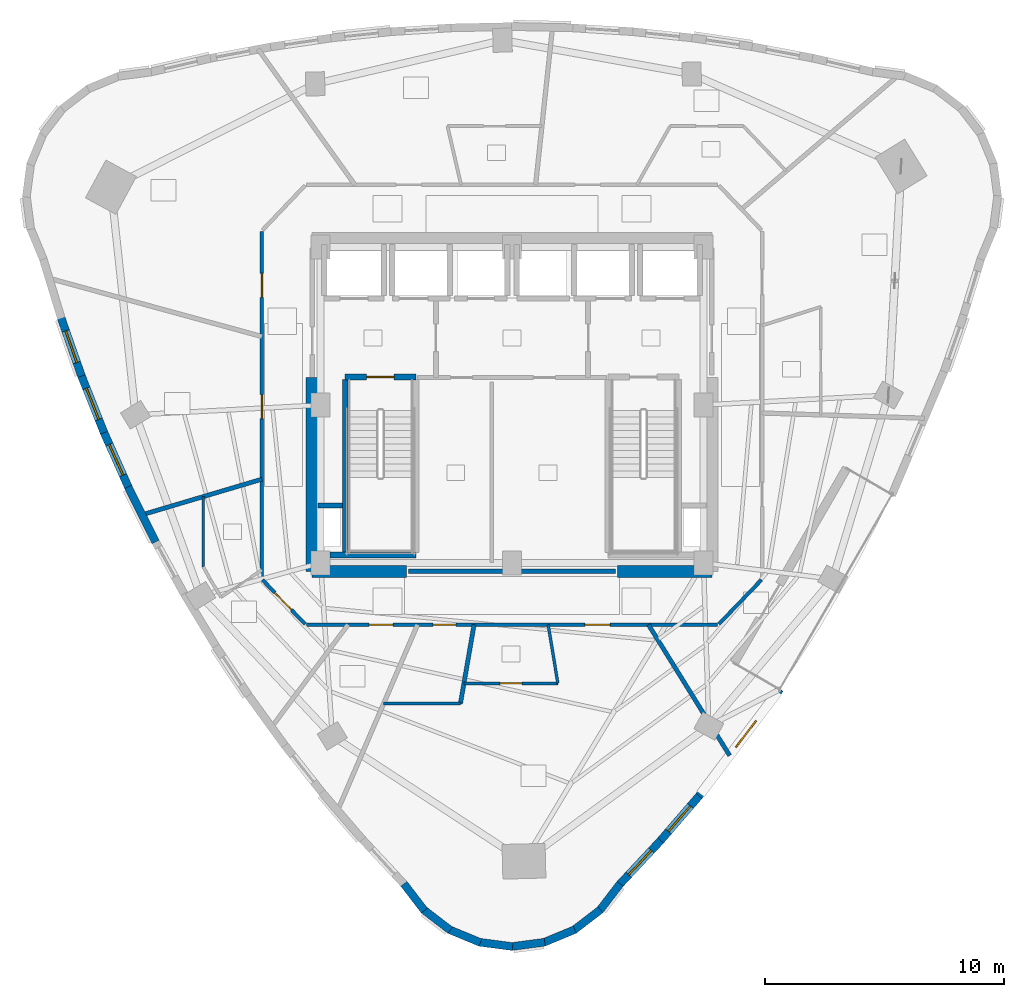
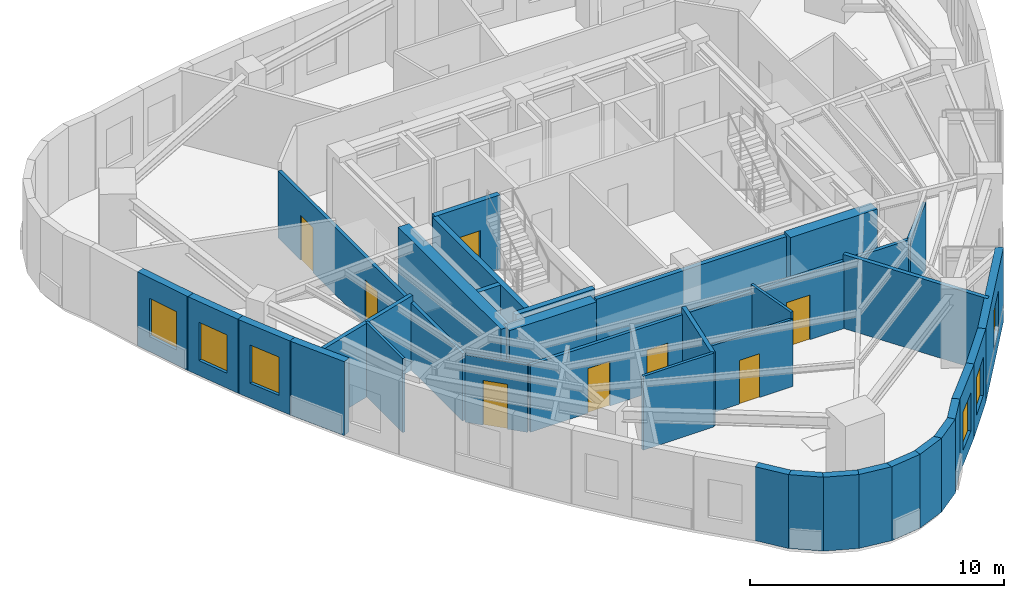
# One storey, part 6 of 12: 34 walls, 8 doors, 6 windows, 14 openings.
"""IFC4 building model written with IfcOpenShell, lengths in metres."""

from ifc_helpers import new_model, si_unit, direction, frame, frame_2d, origin, place, context, subcontext, project, spatial, rectangle, extrude, material, layer, layer_set, type_object, element, fill, save


model = new_model("IFC4")

# Units and contexts
model_context = context("Model", 3, precision=1e-05, world=origin(), true_north=direction((0.0, 1.0)))
body_context = subcontext(model_context, "Body", "Model", "MODEL_VIEW")
ifc_project = project(units=[si_unit("LENGTHUNIT", "METRE"), si_unit("AREAUNIT", "SQUARE_METRE"), si_unit("VOLUMEUNIT", "CUBIC_METRE"), si_unit("PLANEANGLEUNIT", "RADIAN"), si_unit("MASSUNIT", "GRAM", prefix="KILO")], contexts=[model_context])

# Site, building, storey
site_placement = place(None, origin())
site = spatial("IfcSite", under=ifc_project, at=site_placement, CompositionType="ELEMENT")
building_placement = place(site_placement, origin())
building = spatial("IfcBuilding", under=site, at=building_placement, Name="Ndelora Gate Hotel", CompositionType="ELEMENT")
storey_placement = place(building_placement, frame((0.0, 0.0, 213.14990234375)))
storey = spatial("IfcBuildingStorey", under=building, at=storey_placement, Name="L53", CompositionType="ELEMENT", Elevation=213.14990234375)

# Walls
ifc_material_1 = material(Name="Acoustic Double-Stud Gypsum Assembly", Category="gypsum")
ifc_layer_1 = layer(ifc_material_1, 0.179931640625)
ifc_layer_set_1 = layer_set([ifc_layer_1], Name="Acoustic Double-Stud Gypsum Assembly")
wall_type_1 = type_object("IfcWallType", Name="WL-ACOUST-180", PredefinedType="PARTITIONING", material=ifc_layer_set_1)
wall_1_placement = place(storey_placement, frame((-1.5849609375, -9.179931640625, 0.0), z_axis=(0.0, 0.0, 1.0), x_axis=(-0.170153481889, -0.985417572708, 0.0)))
element("IfcWall", 1, at=wall_1_placement, inside=storey, type_object=wall_type_1, Name="L53 Interior Wall IW-3", PredefinedType="PARTITIONING", context=body_context, shape_type="SweptSolid", body=[
    extrude(rectangle(XDim=3.348876953125, YDim=0.179931640625, at=frame_2d((1.67431640625, 0.0))), origin(), (0.0, 0.0, 1.0), 3.550048828125),
])
wall_2_placement = place(storey_placement, frame((5.699951171875, -9.179931640625, 0.0), z_axis=(0.0, 0.0, 1.0), x_axis=(0.527494096937, -0.849558695851, 0.0)))
element("IfcWall", 2, at=wall_2_placement, inside=storey, type_object=wall_type_1, Name="L53 Interior Wall IW-3", PredefinedType="PARTITIONING", context=body_context, shape_type="SweptSolid", body=[
    extrude(rectangle(XDim=6.4365234375, YDim=0.179931640625, at=frame_2d((3.21826171875, 0.0))), origin(), (0.0, 0.0, 1.0), 3.550048828125),
])
wall_3_placement = place(storey_placement, frame((-10.449951171875, -3.1015625, 0.0), z_axis=(0.0, 0.0, 1.0), x_axis=(-0.958678324952, -0.284492300894, 0.0)))
element("IfcWall", 3, at=wall_3_placement, inside=storey, type_object=wall_type_1, Name="L53 Interior Wall IW-3", PredefinedType="PARTITIONING", context=body_context, shape_type="SweptSolid", body=[
    extrude(rectangle(XDim=5.226318359375, YDim=0.179931640625, at=frame_2d((2.61328125, 0.0))), origin(), (0.0, 0.0, 1.0), 3.550048828125),
])

# Wall, opening, window
ifc_material_2 = material(Name="Clay Brick Masonry", Category="masonry")
ifc_layer_2 = layer(ifc_material_2, 0.330078125)
ifc_layer_set_2 = layer_set([ifc_layer_2], Name="Clay Brick Masonry")
wall_type_2 = type_object("IfcWallType", Name="WL-BRICK-330", PredefinedType="SOLIDWALL", material=ifc_layer_set_2)
wall_4_placement = place(storey_placement, frame((-17.98681640625, 1.205810546875, 0.0), z_axis=(0.0, 0.0, 1.0), x_axis=(-0.330754550378, 0.94371681526, 0.0)))
wall_4 = element("IfcWall", 4, at=wall_4_placement, inside=storey, type_object=wall_type_2, Name="L53 Tower Brick Pier-and-Spandrel Wall TWR-10", PredefinedType="SOLIDWALL", context=body_context, shape_type="SweptSolid", body=[
    extrude(rectangle(XDim=2.610107421875, YDim=0.330078125, at=frame_2d((1.30517578125, 0.0))), origin(), (0.0, 0.0, 1.0), 3.550048828125),
])
opening_1_placement = place(wall_4_placement, frame((0.60498046875, 0.0, 0.719970703125)))
opening_1 = element("IfcOpeningElement", 5, at=opening_1_placement, cuts=wall_4, Name="Opening W02", PredefinedType="OPENING", context=body_context, shape_type="SweptSolid", body=[
    extrude(rectangle(XDim=1.39990234375, YDim=1.840087890625, at=frame_2d((0.699951171875, 0.919921875))), frame((0.0, 0.175048828125, 0.0), z_axis=(0.0, -1.0, 0.0), x_axis=(1.0, 0.0, 0.0)), (0.0, 0.0, 1.0), 0.35009765625),
])
ifc_material_3 = material(Name="Insulated Low-E Double Glazing in Bronze Aluminium Frame", Category="aluminium")
window_type = type_object("IfcWindowType", Name="WN-DEEP-1400", PartitioningType="SINGLE_PANEL", PredefinedType="WINDOW", material=ifc_material_3)
window_1_placement = place(opening_1_placement, origin())
window_1 = element("IfcWindow", 6, at=window_1_placement, inside=storey, type_object=window_type, Name="L53 Deep-Set Brick-Pier Window W02", OverallHeight=1.840087890625, OverallWidth=1.39990234375, PartitioningType="SINGLE_PANEL", PredefinedType="WINDOW", context=body_context, shape_type="SweptSolid", body=[
    extrude(rectangle(XDim=1.39990234375, YDim=1.840087890625, at=frame_2d((0.699951171875, 0.919921875))), frame((0.0, 0.030029296875, 0.0), z_axis=(0.0, -1.0, 0.0), x_axis=(1.0, 0.0, 0.0)), (0.0, 0.0, 1.0), 0.06005859375),
])
fill(opening_1, window_1)

wall_5_placement = place(storey_placement, frame((-17.048095703125, -1.1572265625, 0.0), z_axis=(0.0, 0.0, 1.0), x_axis=(-0.368872640276, 0.929479948819, 0.0)))
wall_5 = element("IfcWall", 7, at=wall_5_placement, inside=storey, type_object=wall_type_2, Name="L53 Tower Brick Pier-and-Spandrel Wall TWR-11", PredefinedType="SOLIDWALL", context=body_context, shape_type="SweptSolid", body=[
    extrude(rectangle(XDim=2.592529296875, YDim=0.330078125, at=frame_2d((1.29638671875, 0.0))), origin(), (0.0, 0.0, 1.0), 3.550048828125),
])
opening_2_placement = place(wall_5_placement, frame((0.59619140625, 0.0, 0.719970703125)))
opening_2 = element("IfcOpeningElement", 8, at=opening_2_placement, cuts=wall_5, Name="Opening W02", PredefinedType="OPENING", context=body_context, shape_type="SweptSolid", body=[
    extrude(rectangle(XDim=1.39990234375, YDim=1.840087890625, at=frame_2d((0.699951171875, 0.919921875))), frame((0.0, 0.175048828125, 0.0), z_axis=(0.0, -1.0, 0.0), x_axis=(1.0, 0.0, 0.0)), (0.0, 0.0, 1.0), 0.35009765625),
])
window_2_placement = place(opening_2_placement, origin())
window_2 = element("IfcWindow", 9, at=window_2_placement, inside=storey, type_object=window_type, Name="L53 Deep-Set Brick-Pier Window W02", OverallHeight=1.840087890625, OverallWidth=1.39990234375, PartitioningType="SINGLE_PANEL", PredefinedType="WINDOW", context=body_context, shape_type="SweptSolid", body=[
    extrude(rectangle(XDim=1.39990234375, YDim=1.840087890625, at=frame_2d((0.699951171875, 0.919921875))), frame((0.0, 0.030029296875, 0.0), z_axis=(0.0, -1.0, 0.0), x_axis=(1.0, 0.0, 0.0)), (0.0, 0.0, 1.0), 0.06005859375),
])
fill(opening_2, window_2)

wall_6_placement = place(storey_placement, frame((-16.01806640625, -3.46728515625, 0.0), z_axis=(0.0, 0.0, 1.0), x_axis=(-0.40690235828, 0.913471658469, 0.0)))
wall_6 = element("IfcWall", 10, at=wall_6_placement, inside=storey, type_object=wall_type_2, Name="L53 Tower Brick Pier-and-Spandrel Wall TWR-12", PredefinedType="SOLIDWALL", context=body_context, shape_type="SweptSolid", body=[
    extrude(rectangle(XDim=2.579345703125, YDim=0.330078125, at=frame_2d((1.28955078125, 0.0))), origin(), (0.0, 0.0, 1.0), 3.550048828125),
])
opening_3_placement = place(wall_6_placement, frame((0.589599609375, 0.0, 0.719970703125)))
opening_3 = element("IfcOpeningElement", 11, at=opening_3_placement, cuts=wall_6, Name="Opening W02", PredefinedType="OPENING", context=body_context, shape_type="SweptSolid", body=[
    extrude(rectangle(XDim=1.39990234375, YDim=1.840087890625, at=frame_2d((0.699951171875, 0.919921875))), frame((0.0, 0.175048828125, 0.0), z_axis=(0.0, -1.0, 0.0), x_axis=(1.0, 0.0, 0.0)), (0.0, 0.0, 1.0), 0.35009765625),
])
window_3_placement = place(opening_3_placement, origin())
window_3 = element("IfcWindow", 12, at=window_3_placement, inside=storey, type_object=window_type, Name="L53 Deep-Set Brick-Pier Window W02", OverallHeight=1.840087890625, OverallWidth=1.39990234375, PartitioningType="SINGLE_PANEL", PredefinedType="WINDOW", context=body_context, shape_type="SweptSolid", body=[
    extrude(rectangle(XDim=1.39990234375, YDim=1.840087890625, at=frame_2d((0.699951171875, 0.919921875))), frame((0.0, 0.030029296875, 0.0), z_axis=(0.0, -1.0, 0.0), x_axis=(1.0, 0.0, 0.0)), (0.0, 0.0, 1.0), 0.06005859375),
])
fill(opening_3, window_3)

# Walls
wall_7_placement = place(storey_placement, frame((-14.896484375, -5.724609375, 0.0), z_axis=(0.0, 0.0, 1.0), x_axis=(-0.444590292188, 0.895734040936, 0.0)))
element("IfcWall", 13, at=wall_7_placement, inside=storey, type_object=wall_type_2, Name="L53 Tower Brick Pier-and-Spandrel Wall TWR-13", PredefinedType="SOLIDWALL", context=body_context, shape_type="SweptSolid", body=[
    extrude(rectangle(XDim=2.570556640625, YDim=0.330078125, at=frame_2d((1.28515625, 0.0))), origin(), (0.0, 0.0, 1.0), 3.550048828125),
])
wall_8_placement = place(storey_placement, frame((-3.661865234375, -21.125, 0.0), z_axis=(0.0, 0.0, 1.0), x_axis=(-0.608762923213, 0.793352193746, 0.0)))
element("IfcWall", 14, at=wall_8_placement, inside=storey, type_object=wall_type_2, Name="L53 Tower Brick Pier-and-Spandrel Wall TWR-21", PredefinedType="SOLIDWALL", context=body_context, shape_type="SweptSolid", body=[
    extrude(rectangle(XDim=1.4072265625, YDim=0.330078125, at=frame_2d((0.70361328125, 0.0))), origin(), (0.0, 0.0, 1.0), 3.550048828125),
])
for number, where, z_axis, x_axis, name in (
    (15, (-2.580078125, -21.94677734375, 0.0), (0.0, 0.0, 1.0), (-0.793416473107, 0.608679143886, 0.0), "L53 Tower Brick Pier-and-Spandrel Wall TWR-22"),
    (16, (-1.32275390625, -22.460693359375, 0.0), (0.0, 0.0, 1.0), (-0.923885753275, 0.382668413767, 0.0), "L53 Tower Brick Pier-and-Spandrel Wall TWR-23"),
    (17, (0.02490234375, -22.631591796875, 0.0), (0.0, 0.0, 1.0), (-0.991434211429, 0.130607061093, 0.0), "L53 Tower Brick Pier-and-Spandrel Wall TWR-24"),
    (18, (1.37060546875, -22.44775390625, 0.0), (0.0, 0.0, 1.0), (-0.991434211429, -0.130607061093, 0.0), "L53 Tower Brick Pier-and-Spandrel Wall TWR-25"),
    (19, (2.623046875, -21.922119140625, 0.0), (0.0, 0.0, 1.0), (-0.923885753275, -0.382668413767, 0.0), "L53 Tower Brick Pier-and-Spandrel Wall TWR-26"),
    (20, (3.69677734375, -21.090087890625, 0.0), (0.0, 0.0, 1.0), (-0.793416473107, -0.608679143886, 0.0), "L53 Tower Brick Pier-and-Spandrel Wall TWR-27"),
):
    element("IfcWall", number, at=place(storey_placement, frame(where, z_axis=z_axis, x_axis=x_axis)), inside=storey, type_object=wall_type_2, Name=name, PredefinedType="SOLIDWALL", context=body_context, shape_type="SweptSolid", body=[
        extrude(rectangle(XDim=1.407470703125, YDim=0.330078125, at=frame_2d((0.70361328125, 0.0))), origin(), (0.0, 0.0, 1.0), 3.550048828125),
    ])
wall_9_placement = place(storey_placement, frame((4.5185546875, -20.008544921875, 0.0), z_axis=(0.0, 0.0, 1.0), x_axis=(-0.608762923213, -0.793352193746, 0.0)))
element("IfcWall", 21, at=wall_9_placement, inside=storey, type_object=wall_type_2, Name="L53 Tower Brick Pier-and-Spandrel Wall TWR-28", PredefinedType="SOLIDWALL", context=body_context, shape_type="SweptSolid", body=[
    extrude(rectangle(XDim=1.4072265625, YDim=0.330078125, at=frame_2d((0.70361328125, 0.0))), origin(), (0.0, 0.0, 1.0), 3.550048828125),
])

# Wall, opening, window
wall_10_placement = place(storey_placement, frame((6.21240234375, -18.1982421875, 0.0), z_axis=(0.0, 0.0, 1.0), x_axis=(-0.68256240295, -0.730827316183, 0.0)))
wall_10 = element("IfcWall", 22, at=wall_10_placement, inside=storey, type_object=wall_type_2, Name="L53 Tower Brick Pier-and-Spandrel Wall TWR-29", PredefinedType="SOLIDWALL", context=body_context, shape_type="SweptSolid", body=[
    extrude(rectangle(XDim=2.529052734375, YDim=0.330078125, at=frame_2d((1.2646484375, 0.0))), origin(), (0.0, 0.0, 1.0), 3.550048828125),
])
opening_4_placement = place(wall_10_placement, frame((0.564453125, 0.0, 0.719970703125)))
opening_4 = element("IfcOpeningElement", 23, at=opening_4_placement, cuts=wall_10, Name="Opening W02", PredefinedType="OPENING", context=body_context, shape_type="SweptSolid", body=[
    extrude(rectangle(XDim=1.39990234375, YDim=1.840087890625, at=frame_2d((0.699951171875, 0.919921875))), frame((0.0, 0.175048828125, 0.0), z_axis=(0.0, -1.0, 0.0), x_axis=(1.0, 0.0, 0.0)), (0.0, 0.0, 1.0), 0.35009765625),
])
window_4_placement = place(opening_4_placement, origin())
window_4 = element("IfcWindow", 24, at=window_4_placement, inside=storey, type_object=window_type, Name="L53 Deep-Set Brick-Pier Window W02", OverallHeight=1.840087890625, OverallWidth=1.39990234375, PartitioningType="SINGLE_PANEL", PredefinedType="WINDOW", context=body_context, shape_type="SweptSolid", body=[
    extrude(rectangle(XDim=1.39990234375, YDim=1.840087890625, at=frame_2d((0.699951171875, 0.919921875))), frame((0.0, 0.030029296875, 0.0), z_axis=(0.0, -1.0, 0.0), x_axis=(1.0, 0.0, 0.0)), (0.0, 0.0, 1.0), 0.06005859375),
])
fill(opening_4, window_4)

wall_11_placement = place(storey_placement, frame((7.819091796875, -16.33740234375, 0.0), z_axis=(0.0, 0.0, 1.0), x_axis=(-0.653799751014, -0.756667618954, 0.0)))
wall_11 = element("IfcWall", 25, at=wall_11_placement, inside=storey, type_object=wall_type_2, Name="L53 Tower Brick Pier-and-Spandrel Wall TWR-30", PredefinedType="SOLIDWALL", context=body_context, shape_type="SweptSolid", body=[
    extrude(rectangle(XDim=2.508544921875, YDim=0.330078125, at=frame_2d((1.25439453125, 0.0))), origin(), (0.0, 0.0, 1.0), 3.550048828125),
])
opening_5_placement = place(wall_11_placement, frame((0.554443359375, 0.0, 0.719970703125)))
opening_5 = element("IfcOpeningElement", 26, at=opening_5_placement, cuts=wall_11, Name="Opening W02", PredefinedType="OPENING", context=body_context, shape_type="SweptSolid", body=[
    extrude(rectangle(XDim=1.39990234375, YDim=1.840087890625, at=frame_2d((0.699951171875, 0.919921875))), frame((0.0, 0.175048828125, 0.0), z_axis=(0.0, -1.0, 0.0), x_axis=(1.0, 0.0, 0.0)), (0.0, 0.0, 1.0), 0.35009765625),
])
window_5_placement = place(opening_5_placement, origin())
window_5 = element("IfcWindow", 27, at=window_5_placement, inside=storey, type_object=window_type, Name="L53 Deep-Set Brick-Pier Window W02", OverallHeight=1.840087890625, OverallWidth=1.39990234375, PartitioningType="SINGLE_PANEL", PredefinedType="WINDOW", context=body_context, shape_type="SweptSolid", body=[
    extrude(rectangle(XDim=1.39990234375, YDim=1.840087890625, at=frame_2d((0.699951171875, 0.919921875))), frame((0.0, 0.030029296875, 0.0), z_axis=(0.0, -1.0, 0.0), x_axis=(1.0, 0.0, 0.0)), (0.0, 0.0, 1.0), 0.06005859375),
])
fill(opening_5, window_5)

wall_12_placement = place(storey_placement, frame((11.200927734375, -11.865478515625, 0.0), z_axis=(0.0, 0.0, 1.0), x_axis=(-0.603392230828, -0.797444553418, 0.0)))
wall_12 = element("IfcWall", 28, at=wall_12_placement, inside=storey, type_object=wall_type_2, Name="L53 Tower Brick Pier-and-Spandrel Wall TWR-31", PredefinedType="SOLIDWALL", context=body_context, shape_type="SweptSolid", body=[
    extrude(rectangle(XDim=5.656494140625, YDim=0.330078125, at=frame_2d((2.828125, 0.0))), origin(), (0.0, 0.0, 1.0), 3.550048828125),
])
opening_6_placement = place(wall_12_placement, frame((1.659912109375, 0.0, 0.719970703125)))
opening_6 = element("IfcOpeningElement", 29, at=opening_6_placement, cuts=wall_12, Name="Opening W02", PredefinedType="OPENING", context=body_context, shape_type="SweptSolid", body=[
    extrude(rectangle(XDim=1.39990234375, YDim=1.8798828125, at=frame_2d((0.699951171875, 0.93994140625))), frame((0.0, 0.175048828125, 0.0), z_axis=(0.0, -1.0, 0.0), x_axis=(1.0, 0.0, 0.0)), (0.0, 0.0, 1.0), 0.35009765625),
])
window_6_placement = place(opening_6_placement, origin())
window_6 = element("IfcWindow", 30, at=window_6_placement, inside=storey, type_object=window_type, Name="L53 Deep-Set Brick-Pier Window W02", OverallHeight=1.8798828125, OverallWidth=1.39990234375, PartitioningType="SINGLE_PANEL", PredefinedType="WINDOW", context=body_context, shape_type="SweptSolid", body=[
    extrude(rectangle(XDim=1.39990234375, YDim=1.8798828125, at=frame_2d((0.699951171875, 0.93994140625))), frame((0.0, 0.030029296875, 0.0), z_axis=(0.0, -1.0, 0.0), x_axis=(1.0, 0.0, 0.0)), (0.0, 0.0, 1.0), 0.06005859375),
])
fill(opening_6, window_6)

# Walls
ifc_material_4 = material(Name="Concrete C50/60", Category="concrete")
ifc_layer_3 = layer(ifc_material_4, 0.5)
ifc_layer_set_3 = layer_set([ifc_layer_3], Name="Concrete C50/60")
wall_type_3 = type_object("IfcWallType", Name="WL-CORE-500", PredefinedType="SHEAR", material=ifc_layer_set_3)
for number, where, z_axis, x_axis, name in (
    (31, (-8.35009765625, -6.949951171875, 0.0), (0.0, 0.0, 1.0), (1.0, 0.0, 0.0), "L53 Core Shear Wall S-W"),
    (32, (4.39990234375, -6.949951171875, 0.0), (0.0, 0.0, 1.0), (1.0, 0.0, 0.0), "L53 Core Shear Wall S-E"),
):
    element("IfcWall", number, at=place(storey_placement, frame(where, z_axis=z_axis, x_axis=x_axis)), inside=storey, type_object=wall_type_3, Name=name, PredefinedType="SHEAR", context=body_context, shape_type="SweptSolid", body=[
        extrude(rectangle(XDim=3.9501953125, YDim=0.5, at=frame_2d((1.97509765625, 0.0))), origin(), (0.0, 0.0, 1.0), 3.550048828125),
    ])
wall_13_placement = place(storey_placement, frame((-8.35009765625, -6.949951171875, 0.0), z_axis=(0.0, 0.0, 1.0), x_axis=(0.0, 1.0, 0.0)))
element("IfcWall", 33, at=wall_13_placement, inside=storey, type_object=wall_type_3, Name="L53 Core Shear Wall W", PredefinedType="SHEAR", context=body_context, shape_type="SweptSolid", body=[
    extrude(rectangle(XDim=8.099853515625, YDim=0.5, at=frame_2d((4.0498046875, 0.0))), origin(), (0.0, 0.0, 1.0), 3.550048828125),
])
ifc_material_5 = material(Name="Concrete C40/50", Category="concrete")
ifc_layer_4 = layer(ifc_material_5, 0.199951171875)
ifc_layer_set_4 = layer_set([ifc_layer_4], Name="Concrete C40/50")
wall_type_4 = type_object("IfcWallType", Name="WL-FIRE-200", PredefinedType="PARTITIONING", material=ifc_layer_set_4)
wall_14_placement = place(storey_placement, frame((-4.320068359375, -6.949951171875, 0.0), z_axis=(0.0, 0.0, 1.0), x_axis=(1.0, 0.0, 0.0)))
element("IfcWall", 34, at=wall_14_placement, inside=storey, type_object=wall_type_4, Name="L53 Interior Wall IW-2", PredefinedType="PARTITIONING", context=body_context, shape_type="SweptSolid", body=[
    extrude(rectangle(XDim=8.64013671875, YDim=0.199951171875, at=frame_2d((4.320068359375, 0.0))), origin(), (0.0, 0.0, 1.0), 3.550048828125),
])

# Wall, openings, doors
ifc_material_6 = material(Name="Fire-Rated Gypsum Stud Partition", Category="gypsum")
ifc_layer_5 = layer(ifc_material_6, 0.14990234375)
ifc_layer_set_5 = layer_set([ifc_layer_5], Name="Fire-Rated Gypsum Stud Partition")
wall_type_5 = type_object("IfcWallType", Name="WL-PART-150", PredefinedType="PARTITIONING", material=ifc_layer_set_5)
wall_15_placement = place(storey_placement, frame((8.580078125, -9.179931640625, 0.0), z_axis=(0.0, 0.0, 1.0), x_axis=(-1.0, 0.0, 0.0)))
wall_15 = element("IfcWall", 35, at=wall_15_placement, inside=storey, type_object=wall_type_5, Name="L53 Interior Wall IW-5", PredefinedType="PARTITIONING", context=body_context, shape_type="SweptSolid", body=[
    extrude(rectangle(XDim=17.16015625, YDim=0.14990234375, at=frame_2d((8.580078125, 0.0))), origin(), (0.0, 0.0, 1.0), 3.22998046875),
])
opening_7_placement = place(wall_15_placement, frame((10.927978515625, 0.0, 0.0)))
opening_7 = element("IfcOpeningElement", 36, at=opening_7_placement, cuts=wall_15, Name="Opening D05", PredefinedType="OPENING", context=body_context, shape_type="SweptSolid", body=[
    extrude(rectangle(XDim=0.949951171875, YDim=2.10009765625, at=frame_2d((0.47509765625, 1.050048828125))), frame((0.0, 0.0849609375, 0.0), z_axis=(0.0, -1.0, 0.0), x_axis=(1.0, 0.0, 0.0)), (0.0, 0.0, 1.0), 0.169921875),
])
opening_8_placement = place(wall_15_placement, frame((13.548828125, 0.0, 0.0)))
opening_8 = element("IfcOpeningElement", 37, at=opening_8_placement, cuts=wall_15, Name="Opening D01", PredefinedType="OPENING", context=body_context, shape_type="SweptSolid", body=[
    extrude(rectangle(XDim=1.0, YDim=2.14990234375, at=frame_2d((0.5, 1.074951171875))), frame((0.0, 0.0849609375, 0.0), z_axis=(0.0, -1.0, 0.0), x_axis=(1.0, 0.0, 0.0)), (0.0, 0.0, 1.0), 0.169921875),
])
opening_9_placement = place(wall_15_placement, frame((4.47900390625, 0.0, 0.0)))
opening_9 = element("IfcOpeningElement", 38, at=opening_9_placement, cuts=wall_15, Name="Opening D07", PredefinedType="OPENING", context=body_context, shape_type="SweptSolid", body=[
    extrude(rectangle(XDim=1.06005859375, YDim=2.14990234375, at=frame_2d((0.530029296875, 1.074951171875))), frame((0.0, 0.0849609375, 0.0), z_axis=(0.0, -1.0, 0.0), x_axis=(1.0, 0.0, 0.0)), (0.0, 0.0, 1.0), 0.169921875),
])
ifc_material_7 = material(Name="Accessible Restroom Wide-Clearance Door", Category="wood")
door_type_1 = type_object("IfcDoorType", Name="DR-ACC-950", OperationType="SINGLE_SWING_LEFT", PredefinedType="DOOR", material=ifc_material_7)
door_1_placement = place(opening_7_placement, origin())
door_1 = element("IfcDoor", 39, at=door_1_placement, inside=storey, type_object=door_type_1, Name="L53 Accessible WC Entrance Door", OperationType="SINGLE_SWING_RIGHT", OverallHeight=2.10009765625, OverallWidth=0.949951171875, PredefinedType="DOOR", context=body_context, shape_type="SweptSolid", body=[
    extrude(rectangle(XDim=0.949951171875, YDim=2.10009765625, at=frame_2d((0.47509765625, 1.050048828125))), frame((0.0, 0.02490234375, 0.0), z_axis=(0.0, -1.0, 0.0), x_axis=(1.0, 0.0, 0.0)), (0.0, 0.0, 1.0), 0.050048828125),
])
fill(opening_7, door_1)
ifc_material_8 = material(Name="Acoustic Hardwood Guest Entrance Door", Category="wood")
door_type_2 = type_object("IfcDoorType", Name="DR-COR-1000", OperationType="SINGLE_SWING_LEFT", PredefinedType="DOOR", material=ifc_material_8)
door_2_placement = place(opening_8_placement, origin())
door_2 = element("IfcDoor", 40, at=door_2_placement, inside=storey, type_object=door_type_2, Name="L53 Housekeeping and Linen Room Entrance Door", OperationType="SINGLE_SWING_LEFT", OverallHeight=2.14990234375, OverallWidth=1.0, PredefinedType="DOOR", context=body_context, shape_type="SweptSolid", body=[
    extrude(rectangle(XDim=1.0, YDim=2.14990234375, at=frame_2d((0.5, 1.074951171875))), frame((0.0, 0.02490234375, 0.0), z_axis=(0.0, -1.0, 0.0), x_axis=(1.0, 0.0, 0.0)), (0.0, 0.0, 1.0), 0.050048828125),
])
fill(opening_8, door_2)
ifc_material_9 = material(Name="Diplomatic Suite Acoustic Entrance Door", Category="wood")
door_type_3 = type_object("IfcDoorType", Name="DR-SUITE-1060", OperationType="SINGLE_SWING_LEFT", PredefinedType="DOOR", material=ifc_material_9)
door_3_placement = place(opening_9_placement, origin())
door_3 = element("IfcDoor", 41, at=door_3_placement, inside=storey, type_object=door_type_3, Name="L53 Corner Conservatory Suite 5601 Entrance Door", OperationType="SINGLE_SWING_LEFT", OverallHeight=2.14990234375, OverallWidth=1.06005859375, PredefinedType="DOOR", context=body_context, shape_type="SweptSolid", body=[
    extrude(rectangle(XDim=1.06005859375, YDim=2.14990234375, at=frame_2d((0.530029296875, 1.074951171875))), frame((0.0, 0.02490234375, 0.0), z_axis=(0.0, -1.0, 0.0), x_axis=(1.0, 0.0, 0.0)), (0.0, 0.0, 1.0), 0.050048828125),
])
fill(opening_9, door_3)

# Wall
wall_16_placement = place(storey_placement, frame((10.42236328125, -7.308837890625, 0.0), z_axis=(0.0, 0.0, 1.0), x_axis=(-0.693764562202, -0.720201869085, 0.0)))
element("IfcWall", 42, at=wall_16_placement, inside=storey, type_object=wall_type_5, Name="L53 Interior Wall IW-5", PredefinedType="PARTITIONING", context=body_context, shape_type="SweptSolid", body=[
    extrude(rectangle(XDim=2.55810546875, YDim=0.14990234375, at=frame_2d((1.279052734375, 0.0))), origin(), (0.0, 0.0, 1.0), 3.22998046875),
])

# Wall, openings, doors
wall_17_placement = place(storey_placement, frame((-10.449951171875, -7.239990234375, 0.0), z_axis=(0.0, 0.0, 1.0), x_axis=(0.0, 1.0, 0.0)))
wall_17 = element("IfcWall", 43, at=wall_17_placement, inside=storey, type_object=wall_type_5, Name="L53 Interior Wall IW-5", PredefinedType="PARTITIONING", context=body_context, shape_type="SweptSolid", body=[
    extrude(rectangle(XDim=14.47998046875, YDim=0.14990234375, at=frame_2d((7.239990234375, 0.0))), origin(), (0.0, 0.0, 1.0), 3.22998046875),
])
opening_10_placement = place(wall_17_placement, frame((6.668701171875, 0.0, 0.0)))
opening_10 = element("IfcOpeningElement", 44, at=opening_10_placement, cuts=wall_17, Name="Opening D01", PredefinedType="OPENING", context=body_context, shape_type="SweptSolid", body=[
    extrude(rectangle(XDim=1.0, YDim=2.14990234375, at=frame_2d((0.5, 1.074951171875))), frame((0.0, 0.0849609375, 0.0), z_axis=(0.0, -1.0, 0.0), x_axis=(1.0, 0.0, 0.0)), (0.0, 0.0, 1.0), 0.169921875),
])
opening_11_placement = place(wall_17_placement, frame((11.739990234375, 0.0, 0.0)))
opening_11 = element("IfcOpeningElement", 45, at=opening_11_placement, cuts=wall_17, Name="Opening D01", PredefinedType="OPENING", context=body_context, shape_type="SweptSolid", body=[
    extrude(rectangle(XDim=1.0, YDim=2.14990234375, at=frame_2d((0.5, 1.074951171875))), frame((0.0, 0.0849609375, 0.0), z_axis=(0.0, -1.0, 0.0), x_axis=(1.0, 0.0, 0.0)), (0.0, 0.0, 1.0), 0.169921875),
])
door_4_placement = place(opening_10_placement, origin())
door_4 = element("IfcDoor", 46, at=door_4_placement, inside=storey, type_object=door_type_2, Name="L53 Sommelier Wine Kitchen Entrance Door", OperationType="SINGLE_SWING_LEFT", OverallHeight=2.14990234375, OverallWidth=1.0, PredefinedType="DOOR", context=body_context, shape_type="SweptSolid", body=[
    extrude(rectangle(XDim=1.0, YDim=2.14990234375, at=frame_2d((0.5, 1.074951171875))), frame((0.0, 0.02490234375, 0.0), z_axis=(0.0, -1.0, 0.0), x_axis=(1.0, 0.0, 0.0)), (0.0, 0.0, 1.0), 0.050048828125),
])
fill(opening_10, door_4)
door_5_placement = place(opening_11_placement, origin())
door_5 = element("IfcDoor", 47, at=door_5_placement, inside=storey, type_object=door_type_2, Name="L53 Private Banquet Dining Room Entrance Door", OperationType="SINGLE_SWING_RIGHT", OverallHeight=2.14990234375, OverallWidth=1.0, PredefinedType="DOOR", context=body_context, shape_type="SweptSolid", body=[
    extrude(rectangle(XDim=1.0, YDim=2.14990234375, at=frame_2d((0.5, 1.074951171875))), frame((0.0, 0.02490234375, 0.0), z_axis=(0.0, -1.0, 0.0), x_axis=(1.0, 0.0, 0.0)), (0.0, 0.0, 1.0), 0.050048828125),
])
fill(opening_11, door_5)

# Wall, opening, door
wall_18_placement = place(storey_placement, frame((-8.647705078125, -9.151123046875, 0.0), z_axis=(0.0, 0.0, 1.0), x_axis=(-0.693764562202, 0.720201869085, 0.0)))
wall_18 = element("IfcWall", 48, at=wall_18_placement, inside=storey, type_object=wall_type_5, Name="L53 Interior Wall IW-5", PredefinedType="PARTITIONING", context=body_context, shape_type="SweptSolid", body=[
    extrude(rectangle(XDim=2.55810546875, YDim=0.14990234375, at=frame_2d((1.279052734375, 0.0))), origin(), (0.0, 0.0, 1.0), 3.22998046875),
])
opening_12_placement = place(wall_18_placement, frame((0.819091796875, 0.0, 0.0)))
opening_12 = element("IfcOpeningElement", 49, at=opening_12_placement, cuts=wall_18, Name="Opening D01", PredefinedType="OPENING", context=body_context, shape_type="SweptSolid", body=[
    extrude(rectangle(XDim=1.0, YDim=2.14990234375, at=frame_2d((0.5, 1.074951171875))), frame((0.0, 0.0849609375, 0.0), z_axis=(0.0, -1.0, 0.0), x_axis=(1.0, 0.0, 0.0)), (0.0, 0.0, 1.0), 0.169921875),
])
door_6_placement = place(opening_12_placement, origin())
door_6 = element("IfcDoor", 50, at=door_6_placement, inside=storey, type_object=door_type_2, Name="L53 Altitude King Guest Room 5605 Entrance Door", OperationType="SINGLE_SWING_RIGHT", OverallHeight=2.14990234375, OverallWidth=1.0, PredefinedType="DOOR", context=body_context, shape_type="SweptSolid", body=[
    extrude(rectangle(XDim=1.0, YDim=2.14990234375, at=frame_2d((0.5, 1.074951171875))), frame((0.0, 0.02490234375, 0.0), z_axis=(0.0, -1.0, 0.0), x_axis=(1.0, 0.0, 0.0)), (0.0, 0.0, 1.0), 0.050048828125),
])
fill(opening_12, door_6)

# Walls
ifc_layer_6 = layer(ifc_material_5, 0.219970703125)
ifc_layer_set_6 = layer_set([ifc_layer_6], Name="Concrete C40/50")
wall_type_6 = type_object("IfcWallType", Name="WL-SHAFT-220", PredefinedType="PARTITIONING", material=ifc_layer_set_6)
wall_19_placement = place(storey_placement, frame((-8.10009765625, -4.199951171875, 0.0), z_axis=(0.0, 0.0, 1.0), x_axis=(1.0, 0.0, 0.0)))
element("IfcWall", 51, at=wall_19_placement, inside=storey, type_object=wall_type_6, Name="L53 Interior Wall IW-1", PredefinedType="PARTITIONING", context=body_context, shape_type="SweptSolid", body=[
    extrude(rectangle(XDim=1.010009765625, YDim=0.219970703125, at=frame_2d((0.5048828125, 0.0))), origin(), (0.0, 0.0, 1.0), 3.550048828125),
])
ifc_layer_7 = layer(ifc_material_4, 0.239990234375)
ifc_layer_set_7 = layer_set([ifc_layer_7], Name="Concrete C50/60")
wall_type_7 = type_object("IfcWallType", Name="WL-STAIR-240", PredefinedType="SHEAR", material=ifc_layer_set_7)
wall_20_placement = place(storey_placement, frame((-6.969970703125, -6.159912109375, 0.0), z_axis=(0.0, 0.0, 1.0), x_axis=(0.0, 1.0, 0.0)))
element("IfcWall", 52, at=wall_20_placement, inside=storey, type_object=wall_type_7, Name="L53 Stair Core Shear Wall SW-ST", PredefinedType="SHEAR", context=body_context, shape_type="SweptSolid", body=[
    extrude(rectangle(XDim=7.219970703125, YDim=0.239990234375, at=frame_2d((3.60986328125, 0.0))), origin(), (0.0, 0.0, 1.0), 3.550048828125),
])
wall_21_placement = place(storey_placement, frame((-7.60009765625, -6.27001953125, 0.0), z_axis=(0.0, 0.0, 1.0), x_axis=(1.0, 0.0, 0.0)))
element("IfcWall", 53, at=wall_21_placement, inside=storey, type_object=wall_type_7, Name="L53 Stair Core Shear Wall SW-ST", PredefinedType="SHEAR", context=body_context, shape_type="SweptSolid", body=[
    extrude(rectangle(XDim=3.590087890625, YDim=0.239990234375, at=frame_2d((1.794921875, 0.0))), origin(), (0.0, 0.0, 1.0), 3.550048828125),
])

# Wall, opening, door
wall_22_placement = place(storey_placement, frame((-6.969970703125, 1.169921875, 0.0), z_axis=(0.0, 0.0, 1.0), x_axis=(1.0, 0.0, 0.0)))
wall_22 = element("IfcWall", 54, at=wall_22_placement, inside=storey, type_object=wall_type_7, Name="L53 Stair Core Shear Wall SW-ST", PredefinedType="SHEAR", context=body_context, shape_type="SweptSolid", body=[
    extrude(rectangle(XDim=2.9599609375, YDim=0.239990234375, at=frame_2d((1.47998046875, 0.0))), origin(), (0.0, 0.0, 1.0), 3.550048828125),
])
opening_13_placement = place(wall_22_placement, frame((0.89990234375, 0.0, 0.0)))
opening_13 = element("IfcOpeningElement", 55, at=opening_13_placement, cuts=wall_22, Name="Opening FD1", PredefinedType="OPENING", context=body_context, shape_type="SweptSolid", body=[
    extrude(rectangle(XDim=1.14990234375, YDim=2.14990234375, at=frame_2d((0.574951171875, 1.074951171875))), frame((0.0, 0.1298828125, 0.0), z_axis=(0.0, -1.0, 0.0), x_axis=(1.0, 0.0, 0.0)), (0.0, 0.0, 1.0), 0.260009765625),
])
ifc_material_10 = material(Name="Fire-Rated Timber-Veneer Steel Core", Category="steel")
door_type_4 = type_object("IfcDoorType", Name="DR-FD60", OperationType="SINGLE_SWING_LEFT", PredefinedType="DOOR", material=ifc_material_10)
door_7_placement = place(opening_13_placement, origin())
door_7 = element("IfcDoor", 56, at=door_7_placement, inside=storey, type_object=door_type_4, Name="L53 Exit Stair ST4 Door", OperationType="SINGLE_SWING_LEFT", OverallHeight=2.14990234375, OverallWidth=1.14990234375, PredefinedType="DOOR", context=body_context, shape_type="SweptSolid", body=[
    extrude(rectangle(XDim=1.14990234375, YDim=2.14990234375, at=frame_2d((0.574951171875, 1.074951171875))), frame((0.0, 0.02490234375, 0.0), z_axis=(0.0, -1.0, 0.0), x_axis=(1.0, 0.0, 0.0)), (0.0, 0.0, 1.0), 0.050048828125),
])
fill(opening_13, door_7)

# Wall
ifc_material_11 = material(Name="Moisture-Resistant Bathroom Tile Partition", Category="gypsum")
ifc_layer_8 = layer(ifc_material_11, 0.1201171875)
ifc_layer_set_8 = layer_set([ifc_layer_8], Name="Moisture-Resistant Bathroom Tile Partition")
wall_type_8 = type_object("IfcWallType", Name="WL-WET-120", PredefinedType="PARTITIONING", material=ifc_layer_set_8)
wall_23_placement = place(storey_placement, frame((1.916015625, -11.6298828125, 0.0), z_axis=(0.0, 0.0, 1.0), x_axis=(-0.162628879968, 0.986687309841, 0.0)))
element("IfcWall", 57, at=wall_23_placement, inside=storey, type_object=wall_type_8, Name="L53 Interior Wall IW-7", PredefinedType="PARTITIONING", context=body_context, shape_type="SweptSolid", body=[
    extrude(rectangle(XDim=2.48291015625, YDim=0.1201171875, at=frame_2d((1.241455078125, 0.0))), origin(), (0.0, 0.0, 1.0), 3.550048828125),
])

# Wall, opening, door
wall_24_placement = place(storey_placement, frame((1.916015625, -11.6298828125, 0.0), z_axis=(0.0, 0.0, 1.0), x_axis=(-1.0, 0.0, 0.0)))
wall_24 = element("IfcWall", 58, at=wall_24_placement, inside=storey, type_object=wall_type_8, Name="L53 Interior Wall IW-7", PredefinedType="PARTITIONING", context=body_context, shape_type="SweptSolid", body=[
    extrude(rectangle(XDim=3.924072265625, YDim=0.1201171875, at=frame_2d((1.9619140625, 0.0))), origin(), (0.0, 0.0, 1.0), 3.22998046875),
])
opening_14_placement = place(wall_24_placement, frame((1.501953125, 0.0, 0.0)))
opening_14 = element("IfcOpeningElement", 59, at=opening_14_placement, cuts=wall_24, Name="Opening D03", PredefinedType="OPENING", context=body_context, shape_type="SweptSolid", body=[
    extrude(rectangle(XDim=0.919921875, YDim=2.10009765625, at=frame_2d((0.4599609375, 1.050048828125))), frame((0.0, 0.070068359375, 0.0), z_axis=(0.0, -1.0, 0.0), x_axis=(1.0, 0.0, 0.0)), (0.0, 0.0, 1.0), 0.14013671875),
])
ifc_material_12 = material(Name="Moisture-Resistant Hardwood En-Suite Door", Category="wood")
door_type_5 = type_object("IfcDoorType", Name="DR-BATH-920", OperationType="SINGLE_SWING_LEFT", PredefinedType="DOOR", material=ifc_material_12)
door_8_placement = place(opening_14_placement, origin())
door_8 = element("IfcDoor", 60, at=door_8_placement, inside=storey, type_object=door_type_5, Name="L53 En-suite Bathroom 5601 Door", OperationType="SINGLE_SWING_RIGHT", OverallHeight=2.10009765625, OverallWidth=0.919921875, PredefinedType="DOOR", context=body_context, shape_type="SweptSolid", body=[
    extrude(rectangle(XDim=0.919921875, YDim=2.10009765625, at=frame_2d((0.4599609375, 1.050048828125))), frame((0.0, 0.02490234375, 0.0), z_axis=(0.0, -1.0, 0.0), x_axis=(1.0, 0.0, 0.0)), (0.0, 0.0, 1.0), 0.050048828125),
])
fill(opening_14, door_8)

# Walls
wall_25_placement = place(storey_placement, frame((-12.89990234375, -3.82861328125, 0.0), z_axis=(0.0, 0.0, 1.0), x_axis=(0.0, -1.0, 0.0)))
element("IfcWall", 61, at=wall_25_placement, inside=storey, type_object=wall_type_8, Name="L53 Interior Wall IW-7", PredefinedType="PARTITIONING", context=body_context, shape_type="SweptSolid", body=[
    extrude(rectangle(XDim=2.9306640625, YDim=0.1201171875, at=frame_2d((1.46533203125, 0.0))), origin(), (0.0, 0.0, 1.0), 3.550048828125),
])
ifc_material_13 = material(Name="Moisture-Resistant Fire-Rated Tile Partition", Category="gypsum")
ifc_layer_9 = layer(ifc_material_13, 0.1298828125)
ifc_layer_set_9 = layer_set([ifc_layer_9], Name="Moisture-Resistant Fire-Rated Tile Partition")
wall_type_9 = type_object("IfcWallType", Name="WL-WET-RATED", PredefinedType="PARTITIONING", material=ifc_layer_set_9)
wall_26_placement = place(storey_placement, frame((-2.15478515625, -12.47998046875, 0.0), z_axis=(0.0, 0.0, 1.0), x_axis=(-1.0, 0.0, 0.0)))
element("IfcWall", 62, at=wall_26_placement, inside=storey, type_object=wall_type_9, Name="L53 Interior Wall IW-6", PredefinedType="PARTITIONING", context=body_context, shape_type="SweptSolid", body=[
    extrude(rectangle(XDim=3.2109375, YDim=0.1298828125, at=frame_2d((1.60546875, 0.0))), origin(), (0.0, 0.0, 1.0), 3.550048828125),
])

save(model, "model.ifc")
